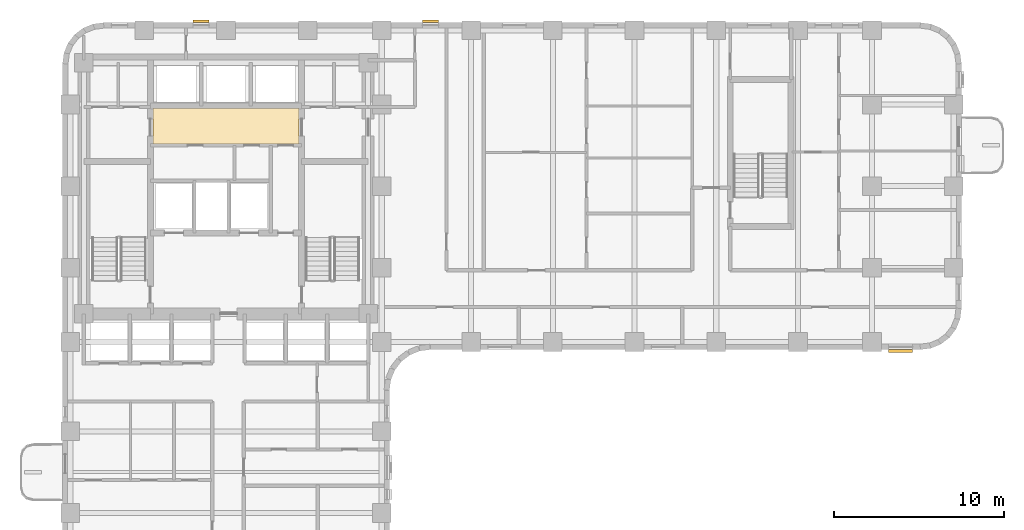
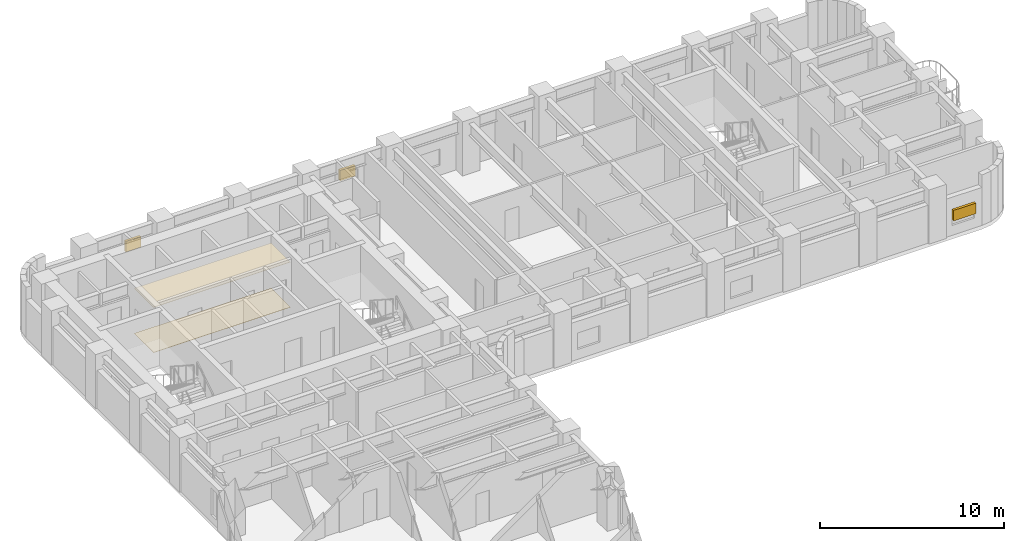
# One storey, part 10 of 12: 3 shading devices, 2 coverings.
"""IFC4 building model written with IfcOpenShell, lengths in metres."""

from ifc_helpers import new_model, si_unit, direction, frame, origin, origin_2d, place, context, subcontext, project, spatial, polyline, rectangle, outline, extrude, material, layer, layer_set, type_object, element, save


model = new_model("IFC4")

# Units and contexts
model_context = context("Model", 3, precision=1e-05, world=origin(), true_north=direction((0.0, 1.0)))
body_context = subcontext(model_context, "Body", "Model", "MODEL_VIEW")
ifc_project = project(units=[si_unit("LENGTHUNIT", "METRE"), si_unit("AREAUNIT", "SQUARE_METRE"), si_unit("VOLUMEUNIT", "CUBIC_METRE"), si_unit("PLANEANGLEUNIT", "RADIAN"), si_unit("MASSUNIT", "GRAM", prefix="KILO")], contexts=[model_context])

# Site, building, storey
site_placement = place(None, origin())
site = spatial("IfcSite", under=ifc_project, at=site_placement, CompositionType="ELEMENT")
building_placement = place(site_placement, origin())
building = spatial("IfcBuilding", under=site, at=building_placement, Name="Orvandelia Arch Residences", CompositionType="ELEMENT")
storey_placement = place(building_placement, frame((0.0, 0.0, 57.39990234375)))
storey = spatial("IfcBuildingStorey", under=building, at=storey_placement, Name="L14", CompositionType="ELEMENT", Elevation=57.39990234375)

# Coverings
ifc_material_1 = material(Name="Perforated Acoustic Mineral-Fibre Ceiling")
ifc_layer_1 = layer(ifc_material_1, 0.02490234375, Name="Perforated Acoustic Mineral-Fibre Ceiling")
ifc_layer_set_1 = layer_set([ifc_layer_1], Name="Perforated Acoustic Mineral-Fibre Ceiling")
covering_type_1 = type_object("IfcCoveringType", Name="COV-CEIL-ACOUSTIC", PredefinedType="CEILING", material=ifc_layer_set_1)
covering_1_placement = place(storey_placement, frame((0.0, 0.0, 3.0)))
element("IfcCovering", 1, at=covering_1_placement, inside=storey, type_object=covering_type_1, Name="Lift Hall Suspended Acoustic Ceiling L14", PredefinedType="CEILING", context=body_context, shape_type="SweptSolid", body=[
    extrude(outline(polyline([(10.10009765625, 40.8798828125), (18.699951171875, 40.8798828125), (18.699951171875, 42.97998046875), (10.10009765625, 42.97998046875), (10.10009765625, 40.8798828125)])), origin(), (0.0, 0.0, 1.0), 0.025146484375),
])
ifc_material_2 = material(Name="Engineered Oak Flooring")
ifc_layer_2 = layer(ifc_material_2, 0.02001953125, Name="Engineered Oak Flooring")
ifc_layer_set_2 = layer_set([ifc_layer_2], Name="Engineered Oak Flooring")
covering_type_2 = type_object("IfcCoveringType", Name="COV-FLOOR-TIMBER", PredefinedType="FLOORING", material=ifc_layer_set_2)
covering_2_placement = place(storey_placement, origin())
element("IfcCovering", 2, at=covering_2_placement, inside=storey, type_object=covering_type_2, Name="Lift Hall Finish Flooring L14", PredefinedType="FLOORING", context=body_context, shape_type="SweptSolid", body=[
    extrude(outline(polyline([(10.10009765625, 40.8798828125), (18.699951171875, 40.8798828125), (18.699951171875, 42.97998046875), (10.10009765625, 42.97998046875), (10.10009765625, 40.8798828125)])), origin(), (0.0, 0.0, 1.0), 0.02001953125),
])

# Shading devices
ifc_material_3 = material(Name="Anodised Champagne-Bronze Extruded Aluminium", Category="aluminium")
shading_device_type = type_object("IfcShadingDeviceType", Name="SHD-JALOUSIE-SCREEN", PredefinedType="JALOUSIE", material=ifc_material_3)
for number, where, z_axis, x_axis, name in (
    (3, (26.4150390625, 48.080078125, 1.55029296875), (0.0, 0.0, 1.0), (1.0, 0.0, 0.0), "Bronze Jalousie Sun-Shade L14-001"),
    (4, (12.93994140625, 48.080078125, 1.55029296875), (0.0, 0.0, 1.0), (1.0, 0.0, 0.0), "Bronze Jalousie Sun-Shade L14-002"),
):
    element("IfcShadingDevice", number, at=place(storey_placement, frame(where, z_axis=z_axis, x_axis=x_axis)), inside=storey, type_object=shading_device_type, Name=name, PredefinedType="JALOUSIE", context=body_context, shape_type="SweptSolid", body=[
        extrude(rectangle(XDim=0.949951171875, YDim=0.159912109375, at=origin_2d()), origin(), (0.0, 0.0, 1.0), 0.699951171875),
    ])
shading_device_placement = place(storey_placement, frame((54.030029296875, 28.719970703125, 1.05029296875), z_axis=(0.0, 0.0, 1.0), x_axis=(-1.0, 0.0, 0.0)))
element("IfcShadingDevice", 5, at=shading_device_placement, inside=storey, type_object=shading_device_type, Name="Bronze Jalousie Sun-Shade L14-005", PredefinedType="JALOUSIE", context=body_context, shape_type="SweptSolid", body=[
    extrude(rectangle(XDim=1.39990234375, YDim=0.159912109375, at=origin_2d()), origin(), (0.0, 0.0, 1.0), 0.699951171875),
])

save(model, "model.ifc")
